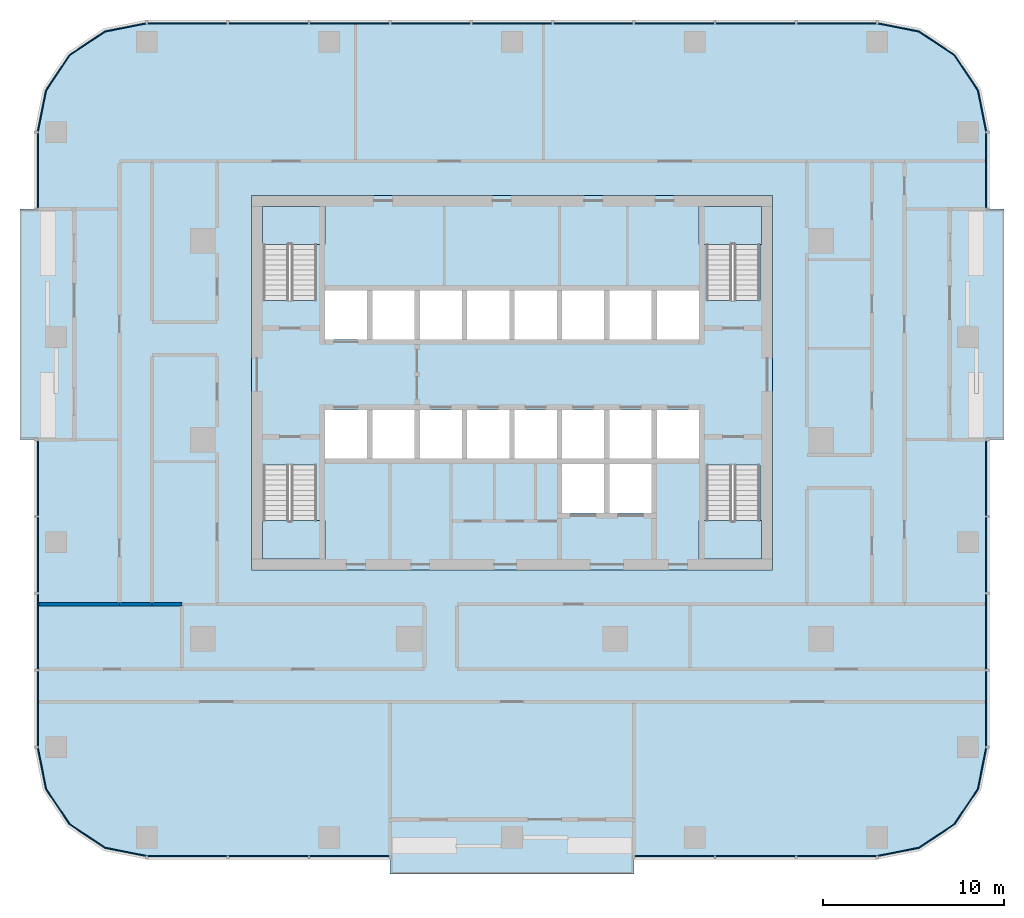
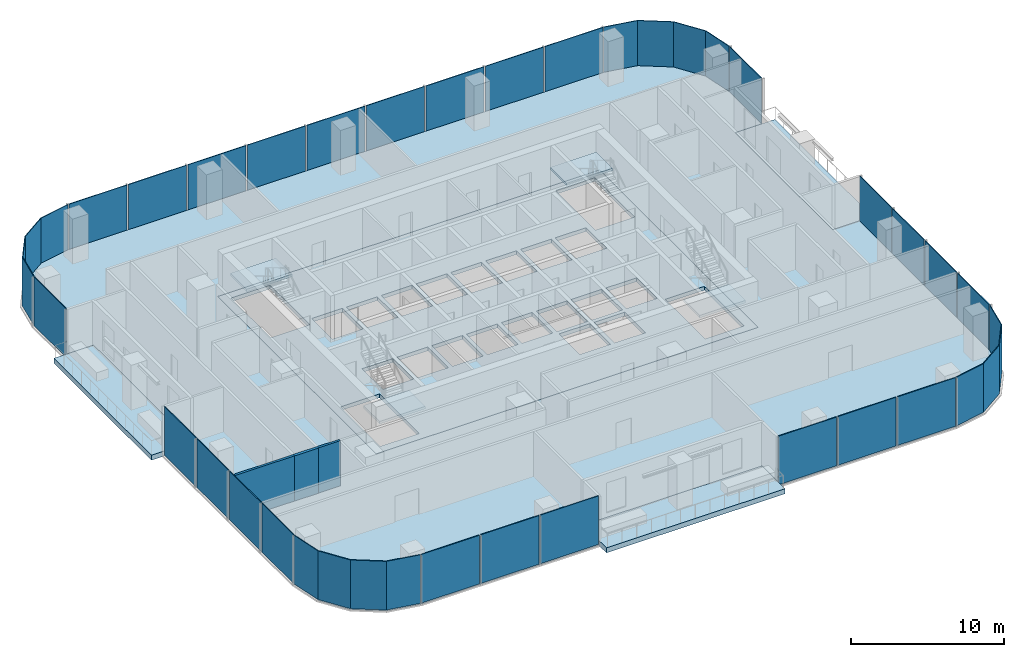
# One storey, part 6 of 15: 29 plates, 9 slabs, 3 walls, 15 elements without a shape of their own.
"""IFC4 building model written with IfcOpenShell, lengths in metres."""

from ifc_helpers import new_model, si_unit, direction, frame, frame_2d, origin, origin_2d, place, context, subcontext, project, spatial, polyline, rectangle, outline, extrude, material, layer, layer_set, type_object, element, aggregate, save


model = new_model("IFC4")

# Units and contexts
model_context = context("Model", 3, precision=1e-05, world=origin(), true_north=direction((0.0, 1.0)))
body_context = subcontext(model_context, "Body", "Model", "MODEL_VIEW")
ifc_project = project(units=[si_unit("LENGTHUNIT", "METRE"), si_unit("AREAUNIT", "SQUARE_METRE"), si_unit("VOLUMEUNIT", "CUBIC_METRE"), si_unit("PLANEANGLEUNIT", "RADIAN"), si_unit("MASSUNIT", "GRAM", prefix="KILO")], contexts=[model_context])

# Site, building, storey
site_placement = place(None, origin())
site = spatial("IfcSite", under=ifc_project, at=site_placement, CompositionType="ELEMENT")
building_placement = place(site_placement, origin())
building = spatial("IfcBuilding", under=site, at=building_placement, Name="Mopane Tessera Tower", CompositionType="ELEMENT")
storey_placement = place(building_placement, frame((0.0, 0.0, 173.0)))
storey = spatial("IfcBuildingStorey", under=building, at=storey_placement, Name="L35", CompositionType="ELEMENT", Elevation=173.0)

# Slab
ifc_material_1 = material(Name="Concrete C40/50", Category="concrete")
ifc_layer_1 = layer(ifc_material_1, 0.300048828125)
ifc_layer_set_1 = layer_set([ifc_layer_1], Name="Concrete C40/50")
slab_type_1 = type_object("IfcSlabType", Name="Core floor slab 300 mm", PredefinedType="FLOOR", material=ifc_layer_set_1)
slab_1_placement = place(storey_placement, frame((0.0, 0.0, -0.300048828125)))
element("IfcSlab", 1, at=slab_1_placement, inside=storey, type_object=slab_type_1, Name="L35 core floor slab", PredefinedType="FLOOR", context=body_context, shape_type="SweptSolid", body=[
    extrude(outline(polyline([(-14.39990234375, -7.199951171875), (14.39990234375, -7.199951171875), (14.39990234375, 13.5), (-14.39990234375, 13.5), (-14.39990234375, -7.199951171875)]), holes=[polyline([(-10.35009765625, -1.050048828125), (-8.02490234375, -1.050048828125), (-8.02490234375, 1.64990234375), (-10.35009765625, 1.64990234375), (-10.35009765625, -1.050048828125)]), polyline([(-7.72509765625, -1.050048828125), (-5.39990234375, -1.050048828125), (-5.39990234375, 1.64990234375), (-7.72509765625, 1.64990234375), (-7.72509765625, -1.050048828125)]), polyline([(-5.10009765625, -1.050048828125), (-2.77490234375, -1.050048828125), (-2.77490234375, 1.64990234375), (-5.10009765625, 1.64990234375), (-5.10009765625, -1.050048828125)]), polyline([(-2.47509765625, -1.050048828125), (-0.14990234375, -1.050048828125), (-0.14990234375, 1.64990234375), (-2.47509765625, 1.64990234375), (-2.47509765625, -1.050048828125)]), polyline([(0.14990234375, -1.050048828125), (2.47509765625, -1.050048828125), (2.47509765625, 1.64990234375), (0.14990234375, 1.64990234375), (0.14990234375, -1.050048828125)]), polyline([(2.77490234375, -1.050048828125), (5.10009765625, -1.050048828125), (5.10009765625, 1.64990234375), (2.77490234375, 1.64990234375), (2.77490234375, -1.050048828125)]), polyline([(5.39990234375, -1.050048828125), (7.72509765625, -1.050048828125), (7.72509765625, 1.64990234375), (5.39990234375, 1.64990234375), (5.39990234375, -1.050048828125)]), polyline([(8.02490234375, -1.050048828125), (10.35009765625, -1.050048828125), (10.35009765625, 1.64990234375), (8.02490234375, 1.64990234375), (8.02490234375, -1.050048828125)]), polyline([(-10.35009765625, 5.550048828125), (-8.02490234375, 5.550048828125), (-8.02490234375, 8.25), (-10.35009765625, 8.25), (-10.35009765625, 5.550048828125)]), polyline([(-7.72509765625, 5.550048828125), (-5.39990234375, 5.550048828125), (-5.39990234375, 8.25), (-7.72509765625, 8.25), (-7.72509765625, 5.550048828125)]), polyline([(-5.10009765625, 5.550048828125), (-2.77490234375, 5.550048828125), (-2.77490234375, 8.25), (-5.10009765625, 8.25), (-5.10009765625, 5.550048828125)]), polyline([(-2.47509765625, 5.550048828125), (-0.14990234375, 5.550048828125), (-0.14990234375, 8.25), (-2.47509765625, 8.25), (-2.47509765625, 5.550048828125)]), polyline([(0.14990234375, 5.550048828125), (2.47509765625, 5.550048828125), (2.47509765625, 8.25), (0.14990234375, 8.25), (0.14990234375, 5.550048828125)]), polyline([(2.77490234375, 5.550048828125), (5.10009765625, 5.550048828125), (5.10009765625, 8.25), (2.77490234375, 8.25), (2.77490234375, 5.550048828125)]), polyline([(5.39990234375, 5.550048828125), (7.72509765625, 5.550048828125), (7.72509765625, 8.25), (5.39990234375, 8.25), (5.39990234375, 5.550048828125)]), polyline([(8.02490234375, 5.550048828125), (10.35009765625, 5.550048828125), (10.35009765625, 8.25), (8.02490234375, 8.25), (8.02490234375, 5.550048828125)]), polyline([(2.77490234375, -4.050048828125), (5.10009765625, -4.050048828125), (5.10009765625, -1.35009765625), (2.77490234375, -1.35009765625), (2.77490234375, -4.050048828125)]), polyline([(5.39990234375, -4.050048828125), (7.72509765625, -4.050048828125), (7.72509765625, -1.35009765625), (5.39990234375, -1.35009765625), (5.39990234375, -4.050048828125)]), polyline([(-13.75, -1.405029296875), (-13.75, -6.60009765625), (-10.800048828125, -6.60009765625), (-10.800048828125, -1.405029296875), (-13.75, -1.405029296875)]), polyline([(-10.800048828125, 7.705078125), (-10.800048828125, 12.89990234375), (-13.75, 12.89990234375), (-13.75, 7.705078125), (-10.800048828125, 7.705078125)]), polyline([(10.75, -1.405029296875), (10.75, -6.60009765625), (13.699951171875, -6.60009765625), (13.699951171875, -1.405029296875), (10.75, -1.405029296875)]), polyline([(13.699951171875, 7.705078125), (13.699951171875, 12.89990234375), (10.75, 12.89990234375), (10.75, 7.705078125), (13.699951171875, 7.705078125)])]), origin(), (0.0, 0.0, 1.0), 0.300048828125),
])

# Stair, slab
ifc_material_2 = material(Name="Concrete C50/60", Category="concrete")
stair_type = type_object("IfcStairType", Name="Escape stair 1400 mm, riser 167 mm", PredefinedType="HALF_TURN_STAIR", material=ifc_material_2)
stair_1_placement = place(storey_placement, origin())
stair_1 = element("IfcStair", 2, at=stair_1_placement, inside=storey, type_object=stair_type, Name="L35 Escape stair south-west", PredefinedType="HALF_TURN_STAIR")
ifc_material_3 = material(Name="Concrete C50/60", Category="concrete")
ifc_layer_2 = layer(ifc_material_3, 0.199951171875)
ifc_layer_set_2 = layer_set([ifc_layer_2], Name="Concrete C50/60")
slab_type_2 = type_object("IfcSlabType", Name="Escape stair landing 200 mm", PredefinedType="LANDING", material=ifc_layer_set_2)
slab_2_placement = place(storey_placement, frame((0.0, 0.0, 1.800048828125)))
slab_2 = element("IfcSlab", 3, at=slab_2_placement, type_object=slab_type_2, Name="ST1 landing 1", PredefinedType="LANDING", context=body_context, shape_type="SweptSolid", body=[
    extrude(outline(polyline([(-13.800048828125, -4.47998046875), (-13.800048828125, -6.60009765625), (-10.35009765625, -6.60009765625), (-10.35009765625, -4.47998046875), (-13.800048828125, -4.47998046875)])), origin(), (0.0, 0.0, 1.0), 0.199951171875),
])
aggregate(stair_1, [slab_2])

stair_2_placement = place(storey_placement, origin())
stair_2 = element("IfcStair", 4, at=stair_2_placement, inside=storey, type_object=stair_type, Name="L35 Escape stair north-west", PredefinedType="HALF_TURN_STAIR")
slab_3_placement = place(storey_placement, frame((0.0, 0.0, 1.800048828125)))
slab_3 = element("IfcSlab", 5, at=slab_3_placement, type_object=slab_type_2, Name="ST2 landing 1", PredefinedType="LANDING", context=body_context, shape_type="SweptSolid", body=[
    extrude(outline(polyline([(-10.35009765625, 10.780029296875), (-10.35009765625, 12.89990234375), (-13.800048828125, 12.89990234375), (-13.800048828125, 10.780029296875), (-10.35009765625, 10.780029296875)])), origin(), (0.0, 0.0, 1.0), 0.199951171875),
])
aggregate(stair_2, [slab_3])

stair_3_placement = place(storey_placement, origin())
stair_3 = element("IfcStair", 6, at=stair_3_placement, inside=storey, type_object=stair_type, Name="L35 Escape stair south-east", PredefinedType="HALF_TURN_STAIR")
slab_4_placement = place(storey_placement, frame((0.0, 0.0, 1.800048828125)))
slab_4 = element("IfcSlab", 7, at=slab_4_placement, type_object=slab_type_2, Name="ST3 landing 1", PredefinedType="LANDING", context=body_context, shape_type="SweptSolid", body=[
    extrude(outline(polyline([(10.35009765625, -4.47998046875), (10.35009765625, -6.60009765625), (13.800048828125, -6.60009765625), (13.800048828125, -4.47998046875), (10.35009765625, -4.47998046875)])), origin(), (0.0, 0.0, 1.0), 0.199951171875),
])
aggregate(stair_3, [slab_4])

stair_4_placement = place(storey_placement, origin())
stair_4 = element("IfcStair", 8, at=stair_4_placement, inside=storey, type_object=stair_type, Name="L35 Escape stair north-east", PredefinedType="HALF_TURN_STAIR")
slab_5_placement = place(storey_placement, frame((0.0, 0.0, 1.800048828125)))
slab_5 = element("IfcSlab", 9, at=slab_5_placement, type_object=slab_type_2, Name="ST4 landing 1", PredefinedType="LANDING", context=body_context, shape_type="SweptSolid", body=[
    extrude(outline(polyline([(13.800048828125, 10.780029296875), (13.800048828125, 12.89990234375), (10.35009765625, 12.89990234375), (10.35009765625, 10.780029296875), (13.800048828125, 10.780029296875)])), origin(), (0.0, 0.0, 1.0), 0.199951171875),
])
aggregate(stair_4, [slab_5])

# Slabs
ifc_material_4 = material(Name="Concrete C40/50", Category="concrete")
ifc_layer_3 = layer(ifc_material_4, 0.39990234375)
ifc_layer_set_3 = layer_set([ifc_layer_3], Name="Concrete C40/50")
slab_type_3 = type_object("IfcSlabType", Name="Planted terrace slab 400 mm", PredefinedType="FLOOR", material=ifc_layer_set_3)
slab_6_placement = place(storey_placement, frame((0.0, 0.0, -0.39990234375)))
element("IfcSlab", 10, at=slab_6_placement, inside=storey, type_object=slab_type_3, Name="Terrace slab N1 L35", PredefinedType="FLOOR", context=body_context, shape_type="SweptSolid", body=[
    extrude(outline(polyline([(-27.199951171875, 0.0), (-24.199951171875, 0.0), (-24.199951171875, 12.75), (-27.199951171875, 12.75), (-27.199951171875, 0.0)])), origin(), (0.0, 0.0, 1.0), 0.39990234375),
])
slab_7_placement = place(storey_placement, frame((0.0, 0.0, -0.39990234375)))
element("IfcSlab", 11, at=slab_7_placement, inside=storey, type_object=slab_type_3, Name="Terrace slab N2 L35", PredefinedType="FLOOR", context=body_context, shape_type="SweptSolid", body=[
    extrude(outline(polyline([(6.7333984375, -24.0), (6.7333984375, -21.0), (-6.7333984375, -21.0), (-6.7333984375, -24.0), (6.7333984375, -24.0)])), origin(), (0.0, 0.0, 1.0), 0.39990234375),
])
slab_8_placement = place(storey_placement, frame((0.0, 0.0, -0.39990234375)))
element("IfcSlab", 12, at=slab_8_placement, inside=storey, type_object=slab_type_3, Name="Terrace slab N3 L35", PredefinedType="FLOOR", context=body_context, shape_type="SweptSolid", body=[
    extrude(outline(polyline([(27.199951171875, 12.75), (24.199951171875, 12.75), (24.199951171875, 0.0), (27.199951171875, 0.0), (27.199951171875, 12.75)])), origin(), (0.0, 0.0, 1.0), 0.39990234375),
])
ifc_material_5 = material(Name="Concrete C40/50", Category="concrete")
ifc_layer_4 = layer(ifc_material_5, 0.39990234375)
ifc_layer_set_4 = layer_set([ifc_layer_4], Name="Concrete C40/50")
slab_type_4 = type_object("IfcSlabType", Name="Post-tensioned flat plate 400 mm", PredefinedType="FLOOR", material=ifc_layer_set_4)
slab_9_placement = place(storey_placement, frame((0.0, 0.0, -0.39990234375)))
element("IfcSlab", 13, at=slab_9_placement, inside=storey, type_object=slab_type_4, Name="Floor slab L35", PredefinedType="FLOOR", context=body_context, shape_type="SweptSolid", body=[
    extrude(outline(polyline([(-20.199951171875, -23.0), (-6.7333984375, -23.0), (-6.7333984375, -21.0), (6.7333984375, -21.0), (6.7333984375, -23.0), (20.199951171875, -23.0), (22.49609375, -22.543212890625), (24.442626953125, -21.24267578125), (25.7431640625, -19.296142578125), (26.199951171875, -17.0), (26.199951171875, 0.0), (24.199951171875, 0.0), (24.199951171875, 12.75), (26.199951171875, 12.75), (26.199951171875, 17.0), (25.7431640625, 19.296142578125), (24.442626953125, 21.24267578125), (22.49609375, 22.543212890625), (20.199951171875, 23.0), (-20.199951171875, 23.0), (-22.49609375, 22.543212890625), (-24.442626953125, 21.24267578125), (-25.7431640625, 19.296142578125), (-26.199951171875, 17.0), (-26.199951171875, 12.75), (-24.199951171875, 12.75), (-24.199951171875, 0.0), (-26.199951171875, 0.0), (-26.199951171875, -17.0), (-25.7431640625, -19.296142578125), (-24.442626953125, -21.24267578125), (-22.49609375, -22.543212890625), (-20.199951171875, -23.0)]), holes=[polyline([(14.39990234375, -7.199951171875), (-14.39990234375, -7.199951171875), (-14.39990234375, 13.5), (14.39990234375, 13.5), (14.39990234375, -7.199951171875)])]), origin(), (0.0, 0.0, 1.0), 0.39990234375),
])

# Curtain wall, plates
ifc_material_6 = material(Name="Aluminium frame", Category="aluminium")
curtain_wall_type = type_object("IfcCurtainWallType", Name="Unitised curtain wall", PredefinedType="NOTDEFINED", material=ifc_material_6)
curtain_wall_1_placement = place(storey_placement, origin())
curtain_wall_1 = element("IfcCurtainWall", 14, at=curtain_wall_1_placement, inside=storey, type_object=curtain_wall_type, Name="e:cw:L35:S:0", PredefinedType="NOTDEFINED")
ifc_material_7 = material(Name="Clear laminated glass", Category="glass")
ifc_layer_5 = layer(ifc_material_7, 0.06005859375)
ifc_layer_set_5 = layer_set([ifc_layer_5], Name="Clear laminated glass")
plate_type = type_object("IfcPlateType", Name="Unitised glazed unit", PredefinedType="CURTAIN_PANEL", material=ifc_layer_set_5)
plate_1_placement = place(storey_placement, frame((-17.95556640625, -23.030029296875, -0.280029296875), z_axis=(0.0, 0.0, 1.0), x_axis=(1.0, 0.0, 0.0)))
plate_1 = element("IfcPlate", 15, at=plate_1_placement, type_object=plate_type, Name="e:cw:L35:S:0:pn0", PredefinedType="CURTAIN_PANEL", context=body_context, shape_type="SweptSolid", body=[
    extrude(rectangle(XDim=4.388916015625, YDim=0.06005859375, at=origin_2d()), origin(), (0.0, 0.0, 1.0), 3.8798828125),
])
plate_2_placement = place(storey_placement, frame((-13.466552734375, -23.030029296875, -0.280029296875), z_axis=(0.0, 0.0, 1.0), x_axis=(1.0, 0.0, 0.0)))
plate_2 = element("IfcPlate", 16, at=plate_2_placement, type_object=plate_type, Name="e:cw:L35:S:0:pn1", PredefinedType="CURTAIN_PANEL", context=body_context, shape_type="SweptSolid", body=[
    extrude(rectangle(XDim=4.388916015625, YDim=0.06005859375, at=origin_2d()), origin(), (0.0, 0.0, 1.0), 3.8798828125),
])
plate_3_placement = place(storey_placement, frame((-8.977783203125, -23.030029296875, -0.280029296875), z_axis=(0.0, 0.0, 1.0), x_axis=(1.0, 0.0, 0.0)))
plate_3 = element("IfcPlate", 17, at=plate_3_placement, type_object=plate_type, Name="e:cw:L35:S:0:pn2", PredefinedType="CURTAIN_PANEL", context=body_context, shape_type="SweptSolid", body=[
    extrude(rectangle(XDim=4.388916015625, YDim=0.06005859375, at=origin_2d()), origin(), (0.0, 0.0, 1.0), 3.8798828125),
])
aggregate(curtain_wall_1, [plate_1, plate_2, plate_3])

curtain_wall_2_placement = place(storey_placement, origin())
curtain_wall_2 = element("IfcCurtainWall", 18, at=curtain_wall_2_placement, inside=storey, type_object=curtain_wall_type, Name="e:cw:L35:S:6", PredefinedType="NOTDEFINED")
plate_4_placement = place(storey_placement, frame((8.977783203125, -23.030029296875, -0.280029296875), z_axis=(0.0, 0.0, 1.0), x_axis=(1.0, 0.0, 0.0)))
plate_4 = element("IfcPlate", 19, at=plate_4_placement, type_object=plate_type, Name="e:cw:L35:S:6:pn6", PredefinedType="CURTAIN_PANEL", context=body_context, shape_type="SweptSolid", body=[
    extrude(rectangle(XDim=4.388916015625, YDim=0.06005859375, at=origin_2d()), origin(), (0.0, 0.0, 1.0), 3.8798828125),
])
plate_5_placement = place(storey_placement, frame((13.466552734375, -23.030029296875, -0.280029296875), z_axis=(0.0, 0.0, 1.0), x_axis=(1.0, 0.0, 0.0)))
plate_5 = element("IfcPlate", 20, at=plate_5_placement, type_object=plate_type, Name="e:cw:L35:S:6:pn7", PredefinedType="CURTAIN_PANEL", context=body_context, shape_type="SweptSolid", body=[
    extrude(rectangle(XDim=4.388916015625, YDim=0.06005859375, at=origin_2d()), origin(), (0.0, 0.0, 1.0), 3.8798828125),
])
plate_6_placement = place(storey_placement, frame((17.95556640625, -23.030029296875, -0.280029296875), z_axis=(0.0, 0.0, 1.0), x_axis=(1.0, 0.0, 0.0)))
plate_6 = element("IfcPlate", 21, at=plate_6_placement, type_object=plate_type, Name="e:cw:L35:S:6:pn8", PredefinedType="CURTAIN_PANEL", context=body_context, shape_type="SweptSolid", body=[
    extrude(rectangle(XDim=4.388916015625, YDim=0.06005859375, at=origin_2d()), origin(), (0.0, 0.0, 1.0), 3.8798828125),
])
aggregate(curtain_wall_2, [plate_4, plate_5, plate_6])

# Curtain wall, plate
curtain_wall_3_placement = place(storey_placement, origin())
curtain_wall_3 = element("IfcCurtainWall", 22, at=curtain_wall_3_placement, inside=storey, type_object=curtain_wall_type, Name="e:cw:L35:CS", PredefinedType="NOTDEFINED")
plate_7_placement = place(storey_placement, frame((0.0, 0.0, -0.280029296875)))
plate_7 = element("IfcPlate", 23, at=plate_7_placement, type_object=plate_type, Name="e:cw:L35:CS:pn", PredefinedType="CURTAIN_PANEL", context=body_context, shape_type="SweptSolid", body=[
    extrude(outline(polyline([(20.199951171875, -23.0), (22.49609375, -22.543212890625), (24.442626953125, -21.24267578125), (25.7431640625, -19.296142578125), (26.199951171875, -17.0), (26.260009765625, -17.0), (25.798828125, -19.319091796875), (24.485107421875, -21.28515625), (22.51904296875, -22.5986328125), (20.199951171875, -23.06005859375), (20.199951171875, -23.0)])), origin(), (0.0, 0.0, 1.0), 3.880126953125),
])
aggregate(curtain_wall_3, [plate_7])

# Curtain wall, plates
curtain_wall_4_placement = place(storey_placement, origin())
curtain_wall_4 = element("IfcCurtainWall", 24, at=curtain_wall_4_placement, inside=storey, type_object=curtain_wall_type, Name="e:cw:L35:E:0", PredefinedType="NOTDEFINED")
plate_8_placement = place(storey_placement, frame((26.22998046875, -14.875, -0.280029296875), z_axis=(0.0, 0.0, 1.0), x_axis=(0.0, 1.0, 0.0)))
plate_8 = element("IfcPlate", 25, at=plate_8_placement, type_object=plate_type, Name="e:cw:L35:E:0:pn0", PredefinedType="CURTAIN_PANEL", context=body_context, shape_type="SweptSolid", body=[
    extrude(rectangle(XDim=4.14990234375, YDim=0.06005859375, at=origin_2d()), origin(), (0.0, 0.0, 1.0), 3.8798828125),
])
plate_9_placement = place(storey_placement, frame((26.22998046875, -10.625, -0.280029296875), z_axis=(0.0, 0.0, 1.0), x_axis=(0.0, 1.0, 0.0)))
plate_9 = element("IfcPlate", 26, at=plate_9_placement, type_object=plate_type, Name="e:cw:L35:E:0:pn1", PredefinedType="CURTAIN_PANEL", context=body_context, shape_type="SweptSolid", body=[
    extrude(rectangle(XDim=4.14990234375, YDim=0.06005859375, at=origin_2d()), origin(), (0.0, 0.0, 1.0), 3.8798828125),
])
plate_10_placement = place(storey_placement, frame((26.22998046875, -6.375, -0.280029296875), z_axis=(0.0, 0.0, 1.0), x_axis=(0.0, 1.0, 0.0)))
plate_10 = element("IfcPlate", 27, at=plate_10_placement, type_object=plate_type, Name="e:cw:L35:E:0:pn2", PredefinedType="CURTAIN_PANEL", context=body_context, shape_type="SweptSolid", body=[
    extrude(rectangle(XDim=4.14990234375, YDim=0.06005859375, at=origin_2d()), origin(), (0.0, 0.0, 1.0), 3.8798828125),
])
plate_11_placement = place(storey_placement, frame((26.22998046875, -2.125, -0.280029296875), z_axis=(0.0, 0.0, 1.0), x_axis=(0.0, 1.0, 0.0)))
plate_11 = element("IfcPlate", 28, at=plate_11_placement, type_object=plate_type, Name="e:cw:L35:E:0:pn3", PredefinedType="CURTAIN_PANEL", context=body_context, shape_type="SweptSolid", body=[
    extrude(rectangle(XDim=4.14990234375, YDim=0.06005859375, at=origin_2d()), origin(), (0.0, 0.0, 1.0), 3.8798828125),
])
aggregate(curtain_wall_4, [plate_8, plate_9, plate_10, plate_11])

# Curtain wall, plate
curtain_wall_5_placement = place(storey_placement, origin())
curtain_wall_5 = element("IfcCurtainWall", 29, at=curtain_wall_5_placement, inside=storey, type_object=curtain_wall_type, Name="e:cw:L35:E:7", PredefinedType="NOTDEFINED")
plate_12_placement = place(storey_placement, frame((26.22998046875, 14.875, -0.280029296875), z_axis=(0.0, 0.0, 1.0), x_axis=(0.0, 1.0, 0.0)))
plate_12 = element("IfcPlate", 30, at=plate_12_placement, type_object=plate_type, Name="e:cw:L35:E:7:pn7", PredefinedType="CURTAIN_PANEL", context=body_context, shape_type="SweptSolid", body=[
    extrude(rectangle(XDim=4.14990234375, YDim=0.06005859375, at=origin_2d()), origin(), (0.0, 0.0, 1.0), 3.8798828125),
])
aggregate(curtain_wall_5, [plate_12])

curtain_wall_6_placement = place(storey_placement, origin())
curtain_wall_6 = element("IfcCurtainWall", 31, at=curtain_wall_6_placement, inside=storey, type_object=curtain_wall_type, Name="e:cw:L35:CE", PredefinedType="NOTDEFINED")
plate_13_placement = place(storey_placement, frame((0.0, 0.0, -0.280029296875)))
plate_13 = element("IfcPlate", 32, at=plate_13_placement, type_object=plate_type, Name="e:cw:L35:CE:pn", PredefinedType="CURTAIN_PANEL", context=body_context, shape_type="SweptSolid", body=[
    extrude(outline(polyline([(26.199951171875, 17.0), (25.7431640625, 19.296142578125), (24.442626953125, 21.24267578125), (22.49609375, 22.543212890625), (20.199951171875, 23.0), (20.199951171875, 23.06005859375), (22.51904296875, 22.5986328125), (24.485107421875, 21.28515625), (25.798828125, 19.319091796875), (26.260009765625, 17.0), (26.199951171875, 17.0)])), origin(), (0.0, 0.0, 1.0), 3.880126953125),
])
aggregate(curtain_wall_6, [plate_13])

# Curtain wall, plates
curtain_wall_7_placement = place(storey_placement, origin())
curtain_wall_7 = element("IfcCurtainWall", 33, at=curtain_wall_7_placement, inside=storey, type_object=curtain_wall_type, Name="e:cw:L35:N:0", PredefinedType="NOTDEFINED")
plate_14_placement = place(storey_placement, frame((17.95556640625, 23.030029296875, -0.280029296875), z_axis=(0.0, 0.0, 1.0), x_axis=(-1.0, 0.0, 0.0)))
plate_14 = element("IfcPlate", 34, at=plate_14_placement, type_object=plate_type, Name="e:cw:L35:N:0:pn0", PredefinedType="CURTAIN_PANEL", context=body_context, shape_type="SweptSolid", body=[
    extrude(rectangle(XDim=4.388916015625, YDim=0.06005859375, at=origin_2d()), origin(), (0.0, 0.0, 1.0), 3.8798828125),
])
plate_15_placement = place(storey_placement, frame((13.466552734375, 23.030029296875, -0.280029296875), z_axis=(0.0, 0.0, 1.0), x_axis=(-1.0, 0.0, 0.0)))
plate_15 = element("IfcPlate", 35, at=plate_15_placement, type_object=plate_type, Name="e:cw:L35:N:0:pn1", PredefinedType="CURTAIN_PANEL", context=body_context, shape_type="SweptSolid", body=[
    extrude(rectangle(XDim=4.388916015625, YDim=0.06005859375, at=origin_2d()), origin(), (0.0, 0.0, 1.0), 3.8798828125),
])
plate_16_placement = place(storey_placement, frame((8.977783203125, 23.030029296875, -0.280029296875), z_axis=(0.0, 0.0, 1.0), x_axis=(-1.0, 0.0, 0.0)))
plate_16 = element("IfcPlate", 36, at=plate_16_placement, type_object=plate_type, Name="e:cw:L35:N:0:pn2", PredefinedType="CURTAIN_PANEL", context=body_context, shape_type="SweptSolid", body=[
    extrude(rectangle(XDim=4.388916015625, YDim=0.06005859375, at=origin_2d()), origin(), (0.0, 0.0, 1.0), 3.8798828125),
])
plate_17_placement = place(storey_placement, frame((4.48876953125, 23.030029296875, -0.280029296875), z_axis=(0.0, 0.0, 1.0), x_axis=(-1.0, 0.0, 0.0)))
plate_17 = element("IfcPlate", 37, at=plate_17_placement, type_object=plate_type, Name="e:cw:L35:N:0:pn3", PredefinedType="CURTAIN_PANEL", context=body_context, shape_type="SweptSolid", body=[
    extrude(rectangle(XDim=4.388916015625, YDim=0.06005859375, at=origin_2d()), origin(), (0.0, 0.0, 1.0), 3.8798828125),
])
plate_18_placement = place(storey_placement, frame((0.0, 23.030029296875, -0.280029296875), z_axis=(0.0, 0.0, 1.0), x_axis=(-1.0, 0.0, 0.0)))
plate_18 = element("IfcPlate", 38, at=plate_18_placement, type_object=plate_type, Name="e:cw:L35:N:0:pn4", PredefinedType="CURTAIN_PANEL", context=body_context, shape_type="SweptSolid", body=[
    extrude(rectangle(XDim=4.388916015625, YDim=0.06005859375, at=origin_2d()), origin(), (0.0, 0.0, 1.0), 3.8798828125),
])
plate_19_placement = place(storey_placement, frame((-4.48876953125, 23.030029296875, -0.280029296875), z_axis=(0.0, 0.0, 1.0), x_axis=(-1.0, 0.0, 0.0)))
plate_19 = element("IfcPlate", 39, at=plate_19_placement, type_object=plate_type, Name="e:cw:L35:N:0:pn5", PredefinedType="CURTAIN_PANEL", context=body_context, shape_type="SweptSolid", body=[
    extrude(rectangle(XDim=4.388916015625, YDim=0.06005859375, at=origin_2d()), origin(), (0.0, 0.0, 1.0), 3.8798828125),
])
plate_20_placement = place(storey_placement, frame((-8.977783203125, 23.030029296875, -0.280029296875), z_axis=(0.0, 0.0, 1.0), x_axis=(-1.0, 0.0, 0.0)))
plate_20 = element("IfcPlate", 40, at=plate_20_placement, type_object=plate_type, Name="e:cw:L35:N:0:pn6", PredefinedType="CURTAIN_PANEL", context=body_context, shape_type="SweptSolid", body=[
    extrude(rectangle(XDim=4.388916015625, YDim=0.06005859375, at=origin_2d()), origin(), (0.0, 0.0, 1.0), 3.8798828125),
])
plate_21_placement = place(storey_placement, frame((-13.466552734375, 23.030029296875, -0.280029296875), z_axis=(0.0, 0.0, 1.0), x_axis=(-1.0, 0.0, 0.0)))
plate_21 = element("IfcPlate", 41, at=plate_21_placement, type_object=plate_type, Name="e:cw:L35:N:0:pn7", PredefinedType="CURTAIN_PANEL", context=body_context, shape_type="SweptSolid", body=[
    extrude(rectangle(XDim=4.388916015625, YDim=0.06005859375, at=origin_2d()), origin(), (0.0, 0.0, 1.0), 3.8798828125),
])
plate_22_placement = place(storey_placement, frame((-17.95556640625, 23.030029296875, -0.280029296875), z_axis=(0.0, 0.0, 1.0), x_axis=(-1.0, 0.0, 0.0)))
plate_22 = element("IfcPlate", 42, at=plate_22_placement, type_object=plate_type, Name="e:cw:L35:N:0:pn8", PredefinedType="CURTAIN_PANEL", context=body_context, shape_type="SweptSolid", body=[
    extrude(rectangle(XDim=4.388916015625, YDim=0.06005859375, at=origin_2d()), origin(), (0.0, 0.0, 1.0), 3.8798828125),
])
aggregate(curtain_wall_7, [plate_14, plate_15, plate_16, plate_17, plate_18, plate_19, plate_20, plate_21, plate_22])

# Curtain wall, plate
curtain_wall_8_placement = place(storey_placement, origin())
curtain_wall_8 = element("IfcCurtainWall", 43, at=curtain_wall_8_placement, inside=storey, type_object=curtain_wall_type, Name="e:cw:L35:CN", PredefinedType="NOTDEFINED")
plate_23_placement = place(storey_placement, frame((0.0, 0.0, -0.280029296875)))
plate_23 = element("IfcPlate", 44, at=plate_23_placement, type_object=plate_type, Name="e:cw:L35:CN:pn", PredefinedType="CURTAIN_PANEL", context=body_context, shape_type="SweptSolid", body=[
    extrude(outline(polyline([(-20.199951171875, 23.0), (-22.49609375, 22.543212890625), (-24.442626953125, 21.24267578125), (-25.7431640625, 19.296142578125), (-26.199951171875, 17.0), (-26.260009765625, 17.0), (-25.798828125, 19.319091796875), (-24.485107421875, 21.28515625), (-22.51904296875, 22.5986328125), (-20.199951171875, 23.06005859375), (-20.199951171875, 23.0)])), origin(), (0.0, 0.0, 1.0), 3.880126953125),
])
aggregate(curtain_wall_8, [plate_23])

curtain_wall_9_placement = place(storey_placement, origin())
curtain_wall_9 = element("IfcCurtainWall", 45, at=curtain_wall_9_placement, inside=storey, type_object=curtain_wall_type, Name="e:cw:L35:W:0", PredefinedType="NOTDEFINED")
plate_24_placement = place(storey_placement, frame((-26.22998046875, 14.875, -0.280029296875), z_axis=(0.0, 0.0, 1.0), x_axis=(0.0, -1.0, 0.0)))
plate_24 = element("IfcPlate", 46, at=plate_24_placement, type_object=plate_type, Name="e:cw:L35:W:0:pn0", PredefinedType="CURTAIN_PANEL", context=body_context, shape_type="SweptSolid", body=[
    extrude(rectangle(XDim=4.14990234375, YDim=0.06005859375, at=origin_2d()), origin(), (0.0, 0.0, 1.0), 3.8798828125),
])
aggregate(curtain_wall_9, [plate_24])

# Curtain wall, plates
curtain_wall_10_placement = place(storey_placement, origin())
curtain_wall_10 = element("IfcCurtainWall", 47, at=curtain_wall_10_placement, inside=storey, type_object=curtain_wall_type, Name="e:cw:L35:W:4", PredefinedType="NOTDEFINED")
plate_25_placement = place(storey_placement, frame((-26.22998046875, -2.125, -0.280029296875), z_axis=(0.0, 0.0, 1.0), x_axis=(0.0, -1.0, 0.0)))
plate_25 = element("IfcPlate", 48, at=plate_25_placement, type_object=plate_type, Name="e:cw:L35:W:4:pn4", PredefinedType="CURTAIN_PANEL", context=body_context, shape_type="SweptSolid", body=[
    extrude(rectangle(XDim=4.14990234375, YDim=0.06005859375, at=origin_2d()), origin(), (0.0, 0.0, 1.0), 3.8798828125),
])
plate_26_placement = place(storey_placement, frame((-26.22998046875, -6.375, -0.280029296875), z_axis=(0.0, 0.0, 1.0), x_axis=(0.0, -1.0, 0.0)))
plate_26 = element("IfcPlate", 49, at=plate_26_placement, type_object=plate_type, Name="e:cw:L35:W:4:pn5", PredefinedType="CURTAIN_PANEL", context=body_context, shape_type="SweptSolid", body=[
    extrude(rectangle(XDim=4.14990234375, YDim=0.06005859375, at=origin_2d()), origin(), (0.0, 0.0, 1.0), 3.8798828125),
])
plate_27_placement = place(storey_placement, frame((-26.22998046875, -10.625, -0.280029296875), z_axis=(0.0, 0.0, 1.0), x_axis=(0.0, -1.0, 0.0)))
plate_27 = element("IfcPlate", 50, at=plate_27_placement, type_object=plate_type, Name="e:cw:L35:W:4:pn6", PredefinedType="CURTAIN_PANEL", context=body_context, shape_type="SweptSolid", body=[
    extrude(rectangle(XDim=4.14990234375, YDim=0.06005859375, at=origin_2d()), origin(), (0.0, 0.0, 1.0), 3.8798828125),
])
plate_28_placement = place(storey_placement, frame((-26.22998046875, -14.875, -0.280029296875), z_axis=(0.0, 0.0, 1.0), x_axis=(0.0, -1.0, 0.0)))
plate_28 = element("IfcPlate", 51, at=plate_28_placement, type_object=plate_type, Name="e:cw:L35:W:4:pn7", PredefinedType="CURTAIN_PANEL", context=body_context, shape_type="SweptSolid", body=[
    extrude(rectangle(XDim=4.14990234375, YDim=0.06005859375, at=origin_2d()), origin(), (0.0, 0.0, 1.0), 3.8798828125),
])
aggregate(curtain_wall_10, [plate_25, plate_26, plate_27, plate_28])

# Curtain wall, plate
curtain_wall_11_placement = place(storey_placement, origin())
curtain_wall_11 = element("IfcCurtainWall", 52, at=curtain_wall_11_placement, inside=storey, type_object=curtain_wall_type, Name="e:cw:L35:CW", PredefinedType="NOTDEFINED")
plate_29_placement = place(storey_placement, frame((0.0, 0.0, -0.280029296875)))
plate_29 = element("IfcPlate", 53, at=plate_29_placement, type_object=plate_type, Name="e:cw:L35:CW:pn", PredefinedType="CURTAIN_PANEL", context=body_context, shape_type="SweptSolid", body=[
    extrude(outline(polyline([(-26.199951171875, -17.0), (-25.7431640625, -19.296142578125), (-24.442626953125, -21.24267578125), (-22.49609375, -22.543212890625), (-20.199951171875, -23.0), (-20.199951171875, -23.06005859375), (-22.51904296875, -22.5986328125), (-24.485107421875, -21.28515625), (-25.798828125, -19.319091796875), (-26.260009765625, -17.0), (-26.199951171875, -17.0)])), origin(), (0.0, 0.0, 1.0), 3.880126953125),
])
aggregate(curtain_wall_11, [plate_29])

# Walls
ifc_material_8 = material(Name="Gypsum board on staggered steel studs, double layer each face, acoustic mineral wool infill", Category="steel")
ifc_layer_6 = layer(ifc_material_8, 0.175048828125)
ifc_layer_set_6 = layer_set([ifc_layer_6], Name="Gypsum board on staggered steel studs, double layer each face, acoustic mineral wool infill")
wall_type_1 = type_object("IfcWallType", Name="Gypsum board acoustic partition 175, rated EI 60", PredefinedType="PARTITIONING", material=ifc_layer_set_6)
wall_1_placement = place(storey_placement, frame((-26.14990234375, -9.10009765625, 0.0), z_axis=(0.0, 0.0, 1.0), x_axis=(1.0, 0.0, 0.0)))
element("IfcWall", 54, at=wall_1_placement, inside=storey, type_object=wall_type_1, Name="Partition L35:004", PredefinedType="PARTITIONING", context=body_context, shape_type="SweptSolid", body=[
    extrude(rectangle(XDim=4.449951171875, YDim=0.175048828125, at=frame_2d((2.22509765625, 0.0))), origin(), (0.0, 0.0, 1.0), 3.60009765625),
])
wall_2_placement = place(storey_placement, frame((-19.89990234375, -9.10009765625, 0.0), z_axis=(0.0, 0.0, 1.0), x_axis=(1.0, 0.0, 0.0)))
element("IfcWall", 55, at=wall_2_placement, inside=storey, type_object=wall_type_1, Name="Partition L35:005", PredefinedType="PARTITIONING", context=body_context, shape_type="SweptSolid", body=[
    extrude(rectangle(XDim=1.64501953125, YDim=0.175048828125, at=frame_2d((0.822509765625, 0.0))), origin(), (0.0, 0.0, 1.0), 3.60009765625),
])
ifc_material_9 = material(Name="Gypsum board on steel studs, two layers each face, mineral wool infill", Category="steel")
ifc_layer_7 = layer(ifc_material_9, 0.199951171875)
ifc_layer_set_7 = layer_set([ifc_layer_7], Name="Gypsum board on steel studs, two layers each face, mineral wool infill")
wall_type_2 = type_object("IfcWallType", Name="Gypsum board corridor wall 200, rated EI 60", PredefinedType="PARTITIONING", material=ifc_layer_set_7)
wall_3_placement = place(storey_placement, frame((-21.699951171875, -9.10009765625, 0.0), z_axis=(0.0, 0.0, 1.0), x_axis=(1.0, 0.0, 0.0)))
element("IfcWall", 56, at=wall_3_placement, inside=storey, type_object=wall_type_2, Name="Partition L35:008", PredefinedType="PARTITIONING", context=body_context, shape_type="SweptSolid", body=[
    extrude(rectangle(XDim=1.800048828125, YDim=0.199951171875, at=frame_2d((0.89990234375, 0.0))), origin(), (0.0, 0.0, 1.0), 3.60009765625),
])

save(model, "model.ifc")
